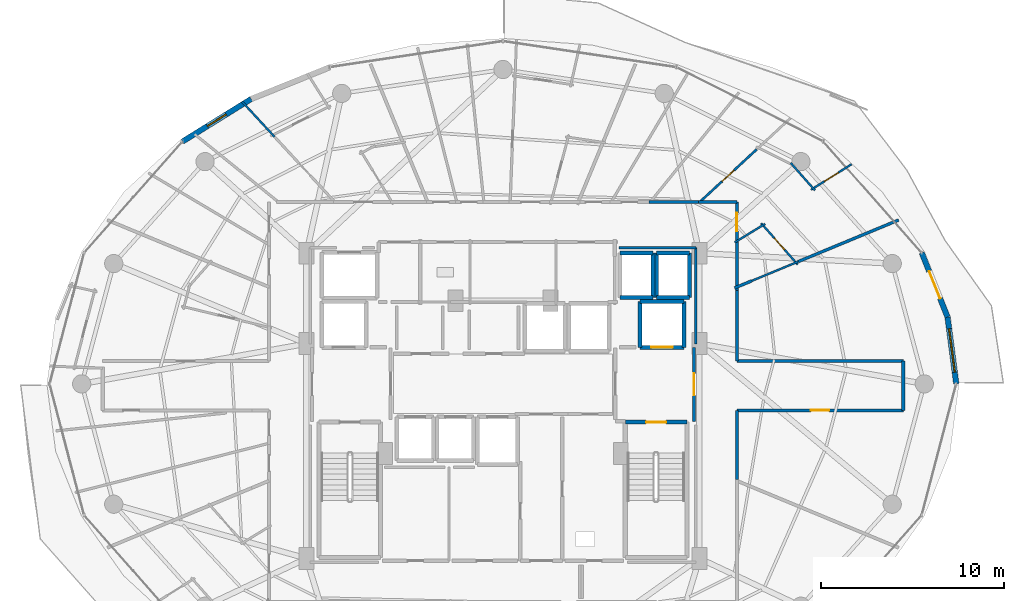
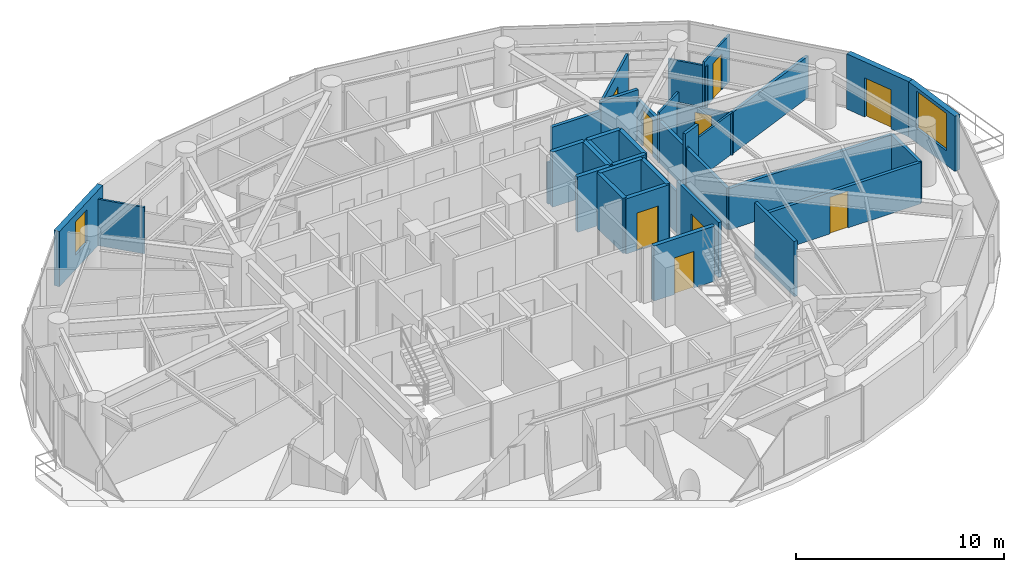
# One storey, part 24 of 28: 36 walls, 9 doors, 2 windows, 11 openings.
"""IFC4 building model written with IfcOpenShell, lengths in metres."""

from ifc_helpers import new_model, si_unit, direction, frame, frame_2d, origin, place, context, subcontext, project, spatial, rectangle, extrude, material, layer, layer_set, type_object, element, fill, save


model = new_model("IFC4")

# Units and contexts
model_context = context("Model", 3, precision=1e-05, world=origin(), true_north=direction((0.0, 1.0)))
body_context = subcontext(model_context, "Body", "Model", "MODEL_VIEW")
ifc_project = project(units=[si_unit("LENGTHUNIT", "METRE"), si_unit("AREAUNIT", "SQUARE_METRE"), si_unit("VOLUMEUNIT", "CUBIC_METRE"), si_unit("PLANEANGLEUNIT", "RADIAN"), si_unit("MASSUNIT", "GRAM", prefix="KILO")], contexts=[model_context])

# Site, building, storey
site_placement = place(None, origin())
site = spatial("IfcSite", under=ifc_project, at=site_placement, CompositionType="ELEMENT")
building_placement = place(site_placement, origin())
building = spatial("IfcBuilding", under=site, at=building_placement, Name="Vorneva Point Tower", CompositionType="ELEMENT")
storey_placement = place(building_placement, frame((0.0, 0.0, 146.60009765625)))
storey = spatial("IfcBuildingStorey", under=building, at=storey_placement, Name="L39", CompositionType="ELEMENT", Elevation=146.60009765625)

# Wall, opening, door
ifc_material_1 = material(Name="Concrete B60 (C50/60)", Category="concrete")
ifc_layer_1 = layer(ifc_material_1, 0.5)
ifc_layer_set_1 = layer_set([ifc_layer_1], Name="Concrete B60 (C50/60)")
wall_type_1 = type_object("IfcWallType", Name="WL-CORE-500", PredefinedType="SHEAR", material=ifc_layer_set_1)
wall_1_placement = place(storey_placement, frame((45.5, 28.0, 0.0), z_axis=(0.0, 0.0, 1.0), x_axis=(1.0, 0.0, 0.0)))
wall_1 = element("IfcWall", 1, at=wall_1_placement, inside=storey, type_object=wall_type_1, Name="L39 Lift FFL2 Shaft Wall -Y", PredefinedType="SHEAR", context=body_context, shape_type="SweptSolid", body=[
    extrude(rectangle(XDim=2.39990234375, YDim=0.219970703125, at=frame_2d((1.199951171875, 0.0))), origin(), (0.0, 0.0, 1.0), 3.239990234375),
])
opening_1_placement = place(wall_1_placement, frame((0.60009765625, 0.0, 0.0)))
opening_1 = element("IfcOpeningElement", 2, at=opening_1_placement, cuts=wall_1, Name="Opening LD-02", PredefinedType="OPENING", context=body_context, shape_type="SweptSolid", body=[
    extrude(rectangle(XDim=1.199951171875, YDim=2.199951171875, at=frame_2d((0.60009765625, 1.10009765625))), frame((0.0, 0.125, 0.0), z_axis=(0.0, -1.0, 0.0), x_axis=(1.0, 0.0, 0.0)), (0.0, 0.0, 1.0), 0.249755859375),
])
ifc_material_2 = material(Name="Brushed stainless steel S304", Category="steel")
door_type_1 = type_object("IfcDoorType", Name="LD-FIRE-1200", OperationType="SLIDING_TO_LEFT", PredefinedType="DOOR", material=ifc_material_2)
door_1_placement = place(opening_1_placement, origin())
door_1 = element("IfcDoor", 3, at=door_1_placement, inside=storey, type_object=door_type_1, Name="L39 Lift FFL2 Sliding Landing Door", OperationType="SLIDING_TO_LEFT", OverallHeight=2.199951171875, OverallWidth=1.199951171875, PredefinedType="DOOR", context=body_context, shape_type="SweptSolid", body=[
    extrude(rectangle(XDim=1.199951171875, YDim=2.199951171875, at=frame_2d((0.60009765625, 1.10009765625))), frame((0.0, 0.02490234375, 0.0), z_axis=(0.0, -1.0, 0.0), x_axis=(1.0, 0.0, 0.0)), (0.0, 0.0, 1.0), 0.050048828125),
])
fill(opening_1, door_1)

# Walls
wall_2_placement = place(storey_placement, frame((47.89990234375, 28.0, 0.0), z_axis=(0.0, 0.0, 1.0), x_axis=(0.0, 1.0, 0.0)))
element("IfcWall", 4, at=wall_2_placement, inside=storey, type_object=wall_type_1, Name="L39 Lift FFL2 Shaft Wall +X", PredefinedType="SHEAR", context=body_context, shape_type="SweptSolid", body=[
    extrude(rectangle(XDim=2.5, YDim=0.219970703125, at=frame_2d((1.25, 0.0))), origin(), (0.0, 0.0, 1.0), 3.239990234375),
])
wall_3_placement = place(storey_placement, frame((47.89990234375, 30.5, 0.0), z_axis=(0.0, 0.0, 1.0), x_axis=(-1.0, 0.0, 0.0)))
element("IfcWall", 5, at=wall_3_placement, inside=storey, type_object=wall_type_1, Name="L39 Lift FFL2 Shaft Wall +Y", PredefinedType="SHEAR", context=body_context, shape_type="SweptSolid", body=[
    extrude(rectangle(XDim=2.39990234375, YDim=0.219970703125, at=frame_2d((1.199951171875, 0.0))), origin(), (0.0, 0.0, 1.0), 3.239990234375),
])
wall_4_placement = place(storey_placement, frame((45.5, 30.5, 0.0), z_axis=(0.0, 0.0, 1.0), x_axis=(0.0, -1.0, 0.0)))
element("IfcWall", 6, at=wall_4_placement, inside=storey, type_object=wall_type_1, Name="L39 Lift FFL2 Shaft Wall -X", PredefinedType="SHEAR", context=body_context, shape_type="SweptSolid", body=[
    extrude(rectangle(XDim=2.5, YDim=0.219970703125, at=frame_2d((1.25, 0.0))), origin(), (0.0, 0.0, 1.0), 3.239990234375),
])

# Wall, opening, window
ifc_material_3 = material(Name="Precast concrete B50 (C40/50)", Category="concrete")
ifc_layer_2 = layer(ifc_material_3, 0.300048828125)
ifc_layer_set_2 = layer_set([ifc_layer_2], Name="Precast concrete B50 (C40/50)")
wall_type_2 = type_object("IfcWallType", Name="WL-EXT-300", PredefinedType="STANDARD", material=ifc_layer_set_2)
wall_5_placement = place(storey_placement, frame((62.800048828125, 26.0, 0.0), z_axis=(0.0, 0.0, 1.0), x_axis=(-0.129189225186, 0.991619959509, 0.0)))
wall_5 = element("IfcWall", 7, at=wall_5_placement, inside=storey, type_object=wall_type_2, Name="L39 Pale-Metal Facade Spandrel Wall 01.1", PredefinedType="STANDARD", context=body_context, shape_type="SweptSolid", body=[
    extrude(rectangle(XDim=3.68896484375, YDim=0.300048828125, at=frame_2d((1.844482421875, 0.0))), origin(), (0.0, 0.0, 1.0), 3.239990234375),
])
opening_2_placement = place(wall_5_placement, frame((0.644287109375, 0.0, 0.85009765625)))
opening_2 = element("IfcOpeningElement", 8, at=opening_2_placement, cuts=wall_5, Name="Opening W-03", PredefinedType="OPENING", context=body_context, shape_type="SweptSolid", body=[
    extrude(rectangle(XDim=2.39990234375, YDim=2.18994140625, at=frame_2d((1.199951171875, 1.094970703125))), frame((0.0, 0.1650390625, 0.0), z_axis=(0.0, -1.0, 0.0), x_axis=(1.0, 0.0, 0.0)), (0.0, 0.0, 1.0), 0.329833984375),
])
ifc_material_4 = material(Name="Double low-e laminated glass IGU", Category="glass")
window_type_1 = type_object("IfcWindowType", Name="WN-RES-2400", PartitioningType="SINGLE_PANEL", PredefinedType="WINDOW", material=ifc_material_4)
window_1_placement = place(opening_2_placement, origin())
window_1 = element("IfcWindow", 9, at=window_1_placement, inside=storey, type_object=window_type_1, Name="L39 Facade Window 01", OverallHeight=2.18994140625, OverallWidth=2.39990234375, PartitioningType="SINGLE_PANEL", PredefinedType="WINDOW", context=body_context, shape_type="SweptSolid", body=[
    extrude(rectangle(XDim=2.39990234375, YDim=2.18994140625, at=frame_2d((1.199951171875, 1.094970703125))), frame((0.0, 0.030029296875, 0.0), z_axis=(0.0, -1.0, 0.0), x_axis=(1.0, 0.0, 0.0)), (0.0, 0.0, 1.0), 0.06005859375),
])
fill(opening_2, window_1)

# Wall, opening, door
wall_6_placement = place(storey_placement, frame((62.323486328125, 29.657958984375, 0.0), z_axis=(0.0, 0.0, 1.0), x_axis=(-0.372401154411, 0.928071861546, 0.0)))
wall_6 = element("IfcWall", 10, at=wall_6_placement, inside=storey, type_object=wall_type_2, Name="L39 Pale-Metal Facade Spandrel Wall 01.2", PredefinedType="STANDARD", context=body_context, shape_type="SweptSolid", body=[
    extrude(rectangle(XDim=3.7900390625, YDim=0.300048828125, at=frame_2d((1.89501953125, 0.0))), origin(), (0.0, 0.0, 1.0), 3.239990234375),
])
opening_3_placement = place(wall_6_placement, frame((1.094970703125, 0.0, 0.0)))
opening_3 = element("IfcOpeningElement", 11, at=opening_3_placement, cuts=wall_6, Name="Opening BD-01", PredefinedType="OPENING", context=body_context, shape_type="SweptSolid", body=[
    extrude(rectangle(XDim=1.60009765625, YDim=2.300048828125, at=frame_2d((0.800048828125, 1.14990234375))), frame((0.0, 0.1650390625, 0.0), z_axis=(0.0, -1.0, 0.0), x_axis=(1.0, 0.0, 0.0)), (0.0, 0.0, 1.0), 0.329833984375),
])
ifc_material_5 = material(Name="Pale anodised aluminium", Category="aluminium")
door_type_2 = type_object("IfcDoorType", Name="DR-BAL-1600", OperationType="SLIDING_TO_LEFT", PredefinedType="DOOR", material=ifc_material_5)
door_2_placement = place(opening_3_placement, origin())
door_2 = element("IfcDoor", 12, at=door_2_placement, inside=storey, type_object=door_type_2, Name="L39 Balcony Terrace Access Door 01", OperationType="SLIDING_TO_LEFT", OverallHeight=2.300048828125, OverallWidth=1.60009765625, PredefinedType="DOOR", context=body_context, shape_type="SweptSolid", body=[
    extrude(rectangle(XDim=1.60009765625, YDim=2.300048828125, at=frame_2d((0.800048828125, 1.14990234375))), frame((0.0, 0.02490234375, 0.0), z_axis=(0.0, -1.0, 0.0), x_axis=(1.0, 0.0, 0.0)), (0.0, 0.0, 1.0), 0.050048828125),
])
fill(opening_3, door_2)

# Wall, opening, window
wall_7_placement = place(storey_placement, frame((24.221923828125, 41.590087890625, 0.0), z_axis=(0.0, 0.0, 1.0), x_axis=(-0.849721181976, -0.527232313977, 0.0)))
wall_7 = element("IfcWall", 13, at=wall_7_placement, inside=storey, type_object=wall_type_2, Name="L39 Pale-Metal Facade Spandrel Wall 06.2", PredefinedType="STANDARD", context=body_context, shape_type="SweptSolid", body=[
    extrude(rectangle(XDim=4.422607421875, YDim=0.300048828125, at=frame_2d((2.21142578125, 0.0))), origin(), (0.0, 0.0, 1.0), 3.239990234375),
])
opening_4_placement = place(wall_7_placement, frame((1.611328125, 0.0, 0.85009765625)))
opening_4 = element("IfcOpeningElement", 14, at=opening_4_placement, cuts=wall_7, Name="Opening W-04", PredefinedType="OPENING", context=body_context, shape_type="SweptSolid", body=[
    extrude(rectangle(XDim=1.199951171875, YDim=1.949951171875, at=frame_2d((0.60009765625, 0.97509765625))), frame((0.0, 0.1650390625, 0.0), z_axis=(0.0, -1.0, 0.0), x_axis=(1.0, 0.0, 0.0)), (0.0, 0.0, 1.0), 0.329833984375),
])
window_type_2 = type_object("IfcWindowType", Name="WN-RES-1200", PartitioningType="SINGLE_PANEL", PredefinedType="WINDOW", material=ifc_material_4)
window_2_placement = place(opening_4_placement, origin())
window_2 = element("IfcWindow", 15, at=window_2_placement, inside=storey, type_object=window_type_2, Name="L39 Dwelling Vision Window 01", OverallHeight=1.949951171875, OverallWidth=1.199951171875, PartitioningType="SINGLE_PANEL", PredefinedType="WINDOW", context=body_context, shape_type="SweptSolid", body=[
    extrude(rectangle(XDim=1.199951171875, YDim=1.949951171875, at=frame_2d((0.60009765625, 0.97509765625))), frame((0.0, 0.030029296875, 0.0), z_axis=(0.0, -1.0, 0.0), x_axis=(1.0, 0.0, 0.0)), (0.0, 0.0, 1.0), 0.06005859375),
])
fill(opening_4, window_2)

# Wall
ifc_material_6 = material(Name="Fire-rated acoustic gypsum stud partition", Category="gypsum")
ifc_layer_3 = layer(ifc_material_6, 0.110107421875)
ifc_layer_set_3 = layer_set([ifc_layer_3], Name="Fire-rated acoustic gypsum stud partition")
wall_type_3 = type_object("IfcWallType", Name="WL-PART-110", PredefinedType="PARTITIONING", material=ifc_layer_set_3)
wall_8_placement = place(storey_placement, frame((50.680419921875, 33.742919921875, 0.0), z_axis=(0.0, 0.0, 1.0), x_axis=(0.853368681548, 0.52130786811, 0.0)))
element("IfcWall", 16, at=wall_8_placement, inside=storey, type_object=wall_type_3, Name="L39 Interior Partition 068", PredefinedType="PARTITIONING", context=body_context, shape_type="SweptSolid", body=[
    extrude(rectangle(XDim=1.9453125, YDim=0.110107421875, at=frame_2d((0.97265625, 0.0))), origin(), (0.0, 0.0, 1.0), 2.971923828125),
])

# Wall, opening, door
wall_9_placement = place(storey_placement, frame((52.12841796875, 34.788818359375, 0.0), z_axis=(0.0, 0.0, 1.0), x_axis=(0.66196248337, -0.74953697081, 0.0)))
wall_9 = element("IfcWall", 17, at=wall_9_placement, inside=storey, type_object=wall_type_3, Name="L39 Interior Partition 069", PredefinedType="PARTITIONING", context=body_context, shape_type="SweptSolid", body=[
    extrude(rectangle(XDim=3.008056640625, YDim=0.110107421875, at=frame_2d((1.50390625, 0.0))), origin(), (0.0, 0.0, 1.0), 2.431884765625),
])
opening_5_placement = place(wall_9_placement, frame((1.0791015625, 0.0, 0.0)))
opening_5 = element("IfcOpeningElement", 18, at=opening_5_placement, cuts=wall_9, Name="Opening ID-02", PredefinedType="OPENING", context=body_context, shape_type="SweptSolid", body=[
    extrude(rectangle(XDim=0.85009765625, YDim=2.10009765625, at=frame_2d((0.425048828125, 1.050048828125))), frame((0.0, 0.06982421875, 0.0), z_axis=(0.0, -1.0, 0.0), x_axis=(1.0, 0.0, 0.0)), (0.0, 0.0, 1.0), 0.139892578125),
])
ifc_material_7 = material(Name="Engineered oak fire-rated door leaf", Category="wood")
door_type_3 = type_object("IfcDoorType", Name="DR-BATH-850", OperationType="NOTDEFINED", PredefinedType="DOOR", material=ifc_material_7)
door_3_placement = place(opening_5_placement, origin())
door_3 = element("IfcDoor", 19, at=door_3_placement, inside=storey, type_object=door_type_3, Name="L39 Door Living and Dining Room L39-01 / Bathroom L39-01", OperationType="SINGLE_SWING_LEFT", OverallHeight=2.10009765625, OverallWidth=0.85009765625, PredefinedType="DOOR", context=body_context, shape_type="SweptSolid", body=[
    extrude(rectangle(XDim=0.85009765625, YDim=2.10009765625, at=frame_2d((0.425048828125, 1.050048828125))), frame((0.0, 0.02490234375, 0.0), z_axis=(0.0, -1.0, 0.0), x_axis=(1.0, 0.0, 0.0)), (0.0, 0.0, 1.0), 0.050048828125),
])
fill(opening_5, door_3)

# Walls
wall_10_placement = place(storey_placement, frame((54.15625, 32.692626953125, 0.0), z_axis=(0.0, 0.0, 1.0), x_axis=(-0.923770555063, -0.382946421316, 0.0)))
element("IfcWall", 20, at=wall_10_placement, inside=storey, type_object=wall_type_3, Name="L39 Interior Partition 070", PredefinedType="PARTITIONING", context=body_context, shape_type="SweptSolid", body=[
    extrude(rectangle(XDim=2.888671875, YDim=0.110107421875, at=frame_2d((1.4443359375, 0.0))), origin(), (0.0, 0.0, 1.0), 2.431884765625),
])
wall_11_placement = place(storey_placement, frame((55.064697265625, 36.591064453125, 0.0), z_axis=(0.0, 0.0, 1.0), x_axis=(-0.66216897397, 0.749354555542, 0.0)))
element("IfcWall", 21, at=wall_11_placement, inside=storey, type_object=wall_type_3, Name="L39 Interior Partition 071", PredefinedType="PARTITIONING", context=body_context, shape_type="SweptSolid", body=[
    extrude(rectangle(XDim=1.990966796875, YDim=0.110107421875, at=frame_2d((0.99560546875, 0.0))), origin(), (0.0, 0.0, 1.0), 2.431884765625),
])

# Wall, opening, door
wall_12_placement = place(storey_placement, frame((57.075439453125, 38.021484375, 0.0), z_axis=(0.0, 0.0, 1.0), x_axis=(-0.846034075758, -0.533128823697, 0.0)))
wall_12 = element("IfcWall", 22, at=wall_12_placement, inside=storey, type_object=wall_type_3, Name="L39 Interior Partition 074", PredefinedType="PARTITIONING", context=body_context, shape_type="SweptSolid", body=[
    extrude(rectangle(XDim=2.626220703125, YDim=0.110107421875, at=frame_2d((1.31298828125, 0.0))), origin(), (0.0, 0.0, 1.0), 2.727783203125),
])
opening_6_placement = place(wall_12_placement, frame((0.863037109375, 0.0, 0.0)))
opening_6 = element("IfcOpeningElement", 23, at=opening_6_placement, cuts=wall_12, Name="Opening ID-01", PredefinedType="OPENING", context=body_context, shape_type="SweptSolid", body=[
    extrude(rectangle(XDim=0.89990234375, YDim=2.10009765625, at=frame_2d((0.449951171875, 1.050048828125))), frame((0.0, 0.06982421875, 0.0), z_axis=(0.0, -1.0, 0.0), x_axis=(1.0, 0.0, 0.0)), (0.0, 0.0, 1.0), 0.139892578125),
])
door_type_4 = type_object("IfcDoorType", Name="DR-ROOM-900", OperationType="NOTDEFINED", PredefinedType="DOOR", material=ifc_material_7)
door_4_placement = place(opening_6_placement, origin())
door_4 = element("IfcDoor", 24, at=door_4_placement, inside=storey, type_object=door_type_4, Name="L39 Door Living and Dining Room L39-01 / Kitchen L39-01", OperationType="SINGLE_SWING_RIGHT", OverallHeight=2.10009765625, OverallWidth=0.89990234375, PredefinedType="DOOR", context=body_context, shape_type="SweptSolid", body=[
    extrude(rectangle(XDim=0.89990234375, YDim=2.10009765625, at=frame_2d((0.449951171875, 1.050048828125))), frame((0.0, 0.02490234375, 0.0), z_axis=(0.0, -1.0, 0.0), x_axis=(1.0, 0.0, 0.0)), (0.0, 0.0, 1.0), 0.050048828125),
])
fill(opening_6, door_4)

# Wall
wall_13_placement = place(storey_placement, frame((25.5048828125, 39.51708984375, 0.0), z_axis=(0.0, 0.0, 1.0), x_axis=(-0.678720806978, 0.734396395808, 0.0)))
element("IfcWall", 25, at=wall_13_placement, inside=storey, type_object=wall_type_3, Name="L39 Interior Partition 096", PredefinedType="PARTITIONING", context=body_context, shape_type="SweptSolid", body=[
    extrude(rectangle(XDim=2.622314453125, YDim=0.110107421875, at=frame_2d((1.31103515625, 0.0))), origin(), (0.0, 0.0, 1.0), 2.727783203125),
])

# Wall, opening, door
ifc_layer_4 = layer(ifc_material_6, 0.125)
ifc_layer_set_4 = layer_set([ifc_layer_4], Name="Fire-rated acoustic gypsum stud partition")
wall_type_4 = type_object("IfcWallType", Name="WL-PART-125", PredefinedType="PARTITIONING", material=ifc_layer_set_4)
wall_14_placement = place(storey_placement, frame((51.873779296875, 38.824462890625, 0.0), z_axis=(0.0, 0.0, 1.0), x_axis=(-0.734347971597, -0.678773199685, 0.0)))
wall_14 = element("IfcWall", 26, at=wall_14_placement, inside=storey, type_object=wall_type_4, Name="L39 Interior Partition 075", PredefinedType="PARTITIONING", context=body_context, shape_type="SweptSolid", body=[
    extrude(rectangle(XDim=4.23486328125, YDim=0.125, at=frame_2d((2.117431640625, 0.0))), origin(), (0.0, 0.0, 1.0), 2.921875),
])
opening_7_placement = place(wall_14_placement, frame((1.66748046875, 0.0, 0.0)))
opening_7 = element("IfcOpeningElement", 27, at=opening_7_placement, cuts=wall_14, Name="Opening ID-01", PredefinedType="OPENING", context=body_context, shape_type="SweptSolid", body=[
    extrude(rectangle(XDim=0.89990234375, YDim=2.10009765625, at=frame_2d((0.449951171875, 1.050048828125))), frame((0.0, 0.077392578125, 0.0), z_axis=(0.0, -1.0, 0.0), x_axis=(1.0, 0.0, 0.0)), (0.0, 0.0, 1.0), 0.15478515625),
])
door_5_placement = place(opening_7_placement, origin())
door_5 = element("IfcDoor", 28, at=door_5_placement, inside=storey, type_object=door_type_4, Name="L39 Door Living and Dining Room L39-01 / Master Bedroom L39-01.1", OperationType="SINGLE_SWING_LEFT", OverallHeight=2.10009765625, OverallWidth=0.89990234375, PredefinedType="DOOR", context=body_context, shape_type="SweptSolid", body=[
    extrude(rectangle(XDim=0.89990234375, YDim=2.10009765625, at=frame_2d((0.449951171875, 1.050048828125))), frame((0.0, 0.02490234375, 0.0), z_axis=(0.0, -1.0, 0.0), x_axis=(1.0, 0.0, 0.0)), (0.0, 0.0, 1.0), 0.050048828125),
])
fill(opening_7, door_5)

# Walls
ifc_layer_5 = layer(ifc_material_6, 0.139892578125)
ifc_layer_set_5 = layer_set([ifc_layer_5], Name="Fire-rated acoustic gypsum stud partition")
wall_type_5 = type_object("IfcWallType", Name="WL-PART-140", PredefinedType="PARTITIONING", material=ifc_layer_set_5)
wall_15_placement = place(storey_placement, frame((48.550048828125, 28.196044921875, 0.0), z_axis=(0.0, 0.0, 1.0), x_axis=(0.0, 1.0, 0.0)))
element("IfcWall", 29, at=wall_15_placement, inside=storey, type_object=wall_type_5, Name="L39 Interior Closure Partition 147", PredefinedType="PARTITIONING", context=body_context, shape_type="SweptSolid", body=[
    extrude(rectangle(XDim=5.25390625, YDim=0.139892578125, at=frame_2d((2.626953125, 0.0))), origin(), (0.0, 0.0, 1.0), 2.431884765625),
])
wall_16_placement = place(storey_placement, frame((48.550048828125, 33.449951171875, 0.0), z_axis=(0.0, 0.0, 1.0), x_axis=(-1.0, 0.0, 0.0)))
element("IfcWall", 30, at=wall_16_placement, inside=storey, type_object=wall_type_5, Name="L39 Interior Closure Partition 148", PredefinedType="PARTITIONING", context=body_context, shape_type="SweptSolid", body=[
    extrude(rectangle(XDim=4.2099609375, YDim=0.139892578125, at=frame_2d((2.10498046875, 0.0))), origin(), (0.0, 0.0, 1.0), 2.431884765625),
])
ifc_layer_6 = layer(ifc_material_6, 0.159912109375)
ifc_layer_set_6 = layer_set([ifc_layer_6], Name="Fire-rated acoustic gypsum stud partition")
wall_type_6 = type_object("IfcWallType", Name="WL-PART-160", PredefinedType="PARTITIONING", material=ifc_layer_set_6)
wall_17_placement = place(storey_placement, frame((54.156494140625, 32.692138671875, 0.0), z_axis=(0.0, 0.0, 1.0), x_axis=(0.923849528339, 0.382755860814, 0.0)))
element("IfcWall", 31, at=wall_17_placement, inside=storey, type_object=wall_type_6, Name="L39 Interior Partition 076", PredefinedType="PARTITIONING", context=body_context, shape_type="SweptSolid", body=[
    extrude(rectangle(XDim=5.94091796875, YDim=0.159912109375, at=frame_2d((2.970458984375, 0.0))), origin(), (0.0, 0.0, 1.0), 2.431884765625),
])
wall_18_placement = place(storey_placement, frame((50.670654296875, 31.24853515625, 0.0), z_axis=(0.0, 0.0, 1.0), x_axis=(0.924089428906, 0.38217630406, 0.0)))
element("IfcWall", 32, at=wall_18_placement, inside=storey, type_object=wall_type_6, Name="L39 Interior Partition 077", PredefinedType="PARTITIONING", context=body_context, shape_type="SweptSolid", body=[
    extrude(rectangle(XDim=1.02392578125, YDim=0.159912109375, at=frame_2d((0.511962890625, 0.0))), origin(), (0.0, 0.0, 1.0), 3.239990234375),
])

# Wall, opening, door
ifc_material_8 = material(Name="Autoclaved aerated concrete blockwork", Category="masonry")
ifc_layer_7 = layer(ifc_material_8, 0.179931640625)
ifc_layer_set_7 = layer_set([ifc_layer_7], Name="Autoclaved aerated concrete blockwork")
wall_type_7 = type_object("IfcWallType", Name="WL-PART-180", PredefinedType="PARTITIONING", material=ifc_layer_set_7)
wall_19_placement = place(storey_placement, frame((48.449951171875, 23.949951171875, 0.0), z_axis=(0.0, 0.0, 1.0), x_axis=(0.0, 1.0, 0.0)))
wall_19 = element("IfcWall", 33, at=wall_19_placement, inside=storey, type_object=wall_type_7, Name="L39 Interior Partition 005", PredefinedType="PARTITIONING", context=body_context, shape_type="SweptSolid", body=[
    extrude(rectangle(XDim=4.050048828125, YDim=0.179931640625, at=frame_2d((2.02490234375, 0.0))), origin(), (0.0, 0.0, 1.0), 3.239990234375),
])
opening_8_placement = place(wall_19_placement, frame((1.425048828125, 0.0, 0.0)))
opening_8 = element("IfcOpeningElement", 34, at=opening_8_placement, cuts=wall_19, Name="Opening FD-02", PredefinedType="OPENING", context=body_context, shape_type="SweptSolid", body=[
    extrude(rectangle(XDim=1.199951171875, YDim=2.14990234375, at=frame_2d((0.60009765625, 1.074951171875))), frame((0.0, 0.10498046875, 0.0), z_axis=(0.0, -1.0, 0.0), x_axis=(1.0, 0.0, 0.0)), (0.0, 0.0, 1.0), 0.209716796875),
])
ifc_material_9 = material(Name="Fire-rated powder-coated steel", Category="steel")
door_type_5 = type_object("IfcDoorType", Name="DR-FFL-1200", OperationType="NOTDEFINED", PredefinedType="DOOR", material=ifc_material_9)
door_6_placement = place(opening_8_placement, origin())
door_6 = element("IfcDoor", 35, at=door_6_placement, inside=storey, type_object=door_type_5, Name="L39 Door East Firefighting Lobby / L39 Circulation Corridor", OperationType="SINGLE_SWING_LEFT", OverallHeight=2.14990234375, OverallWidth=1.199951171875, PredefinedType="DOOR", context=body_context, shape_type="SweptSolid", body=[
    extrude(rectangle(XDim=1.199951171875, YDim=2.14990234375, at=frame_2d((0.60009765625, 1.074951171875))), frame((0.0, 0.02490234375, 0.0), z_axis=(0.0, -1.0, 0.0), x_axis=(1.0, 0.0, 0.0)), (0.0, 0.0, 1.0), 0.050048828125),
])
fill(opening_8, door_6)

wall_20_placement = place(storey_placement, frame((50.800048828125, 33.756103515625, 0.0), z_axis=(0.0, 0.0, 1.0), x_axis=(0.0, 1.0, 0.0)))
wall_20 = element("IfcWall", 36, at=wall_20_placement, inside=storey, type_object=wall_type_7, Name="L39 Interior Partition 029", PredefinedType="PARTITIONING", context=body_context, shape_type="SweptSolid", body=[
    extrude(rectangle(XDim=2.19384765625, YDim=0.179931640625, at=frame_2d((1.096923828125, 0.0))), origin(), (0.0, 0.0, 1.0), 2.431884765625),
])
opening_9_placement = place(wall_20_placement, frame((0.596923828125, 0.0, 0.0)))
opening_9 = element("IfcOpeningElement", 37, at=opening_9_placement, cuts=wall_20, Name="Opening UD-01", PredefinedType="OPENING", context=body_context, shape_type="SweptSolid", body=[
    extrude(rectangle(XDim=1.0, YDim=2.14990234375, at=frame_2d((0.5, 1.074951171875))), frame((0.0, 0.10498046875, 0.0), z_axis=(0.0, -1.0, 0.0), x_axis=(1.0, 0.0, 0.0)), (0.0, 0.0, 1.0), 0.209716796875),
])
door_type_6 = type_object("IfcDoorType", Name="DR-UNIT-1000", OperationType="NOTDEFINED", PredefinedType="DOOR", material=ifc_material_7)
door_7_placement = place(opening_9_placement, origin())
door_7 = element("IfcDoor", 38, at=door_7_placement, inside=storey, type_object=door_type_6, Name="L39 Door L39 Circulation Corridor / Living and Dining Room L39-01", OperationType="SINGLE_SWING_LEFT", OverallHeight=2.14990234375, OverallWidth=1.0, PredefinedType="DOOR", context=body_context, shape_type="SweptSolid", body=[
    extrude(rectangle(XDim=1.0, YDim=2.14990234375, at=frame_2d((0.5, 1.074951171875))), frame((0.0, 0.02490234375, 0.0), z_axis=(0.0, -1.0, 0.0), x_axis=(1.0, 0.0, 0.0)), (0.0, 0.0, 1.0), 0.050048828125),
])
fill(opening_9, door_7)

# Walls
wall_21_placement = place(storey_placement, frame((50.800048828125, 35.949951171875, 0.0), z_axis=(0.0, 0.0, 1.0), x_axis=(-1.0, 0.0, 0.0)))
element("IfcWall", 39, at=wall_21_placement, inside=storey, type_object=wall_type_7, Name="L39 Interior Partition 030", PredefinedType="PARTITIONING", context=body_context, shape_type="SweptSolid", body=[
    extrude(rectangle(XDim=2.095947265625, YDim=0.179931640625, at=frame_2d((1.0478515625, 0.0))), origin(), (0.0, 0.0, 1.0), 2.971923828125),
])
wall_22_placement = place(storey_placement, frame((50.800048828125, 31.10205078125, 0.0), z_axis=(0.0, 0.0, 1.0), x_axis=(0.0, 1.0, 0.0)))
element("IfcWall", 40, at=wall_22_placement, inside=storey, type_object=wall_type_7, Name="L39 Interior Partition 031", PredefinedType="PARTITIONING", context=body_context, shape_type="SweptSolid", body=[
    extrude(rectangle(XDim=2.7939453125, YDim=0.179931640625, at=frame_2d((1.39697265625, 0.0))), origin(), (0.0, 0.0, 1.0), 2.431884765625),
])
wall_23_placement = place(storey_placement, frame((48.7041015625, 35.949951171875, 0.0), z_axis=(0.0, 0.0, 1.0), x_axis=(-1.0, 0.0, 0.0)))
element("IfcWall", 41, at=wall_23_placement, inside=storey, type_object=wall_type_7, Name="L39 Interior Partition 032", PredefinedType="PARTITIONING", context=body_context, shape_type="SweptSolid", body=[
    extrude(rectangle(XDim=2.70703125, YDim=0.179931640625, at=frame_2d((1.353515625, 0.0))), origin(), (0.0, 0.0, 1.0), 2.431884765625),
])
wall_24_placement = place(storey_placement, frame((50.800048828125, 20.758056640625, 0.0), z_axis=(0.0, 0.0, 1.0), x_axis=(0.0, 1.0, 0.0)))
element("IfcWall", 42, at=wall_24_placement, inside=storey, type_object=wall_type_7, Name="L39 Interior Partition 063", PredefinedType="PARTITIONING", context=body_context, shape_type="SweptSolid", body=[
    extrude(rectangle(XDim=3.7919921875, YDim=0.179931640625, at=frame_2d((1.89599609375, 0.0))), origin(), (0.0, 0.0, 1.0), 3.239990234375),
])

# Wall, opening, door
wall_25_placement = place(storey_placement, frame((50.800048828125, 24.550048828125, 0.0), z_axis=(0.0, 0.0, 1.0), x_axis=(1.0, 0.0, 0.0)))
wall_25 = element("IfcWall", 43, at=wall_25_placement, inside=storey, type_object=wall_type_7, Name="L39 Interior Partition 064", PredefinedType="PARTITIONING", context=body_context, shape_type="SweptSolid", body=[
    extrude(rectangle(XDim=9.099853515625, YDim=0.179931640625, at=frame_2d((4.5498046875, 0.0))), origin(), (0.0, 0.0, 1.0), 2.431884765625),
])
opening_10_placement = place(wall_25_placement, frame((4.050048828125, 0.0, 0.0)))
opening_10 = element("IfcOpeningElement", 44, at=opening_10_placement, cuts=wall_25, Name="Opening UD-01", PredefinedType="OPENING", context=body_context, shape_type="SweptSolid", body=[
    extrude(rectangle(XDim=1.0, YDim=2.14990234375, at=frame_2d((0.5, 1.074951171875))), frame((0.0, 0.10498046875, 0.0), z_axis=(0.0, -1.0, 0.0), x_axis=(1.0, 0.0, 0.0)), (0.0, 0.0, 1.0), 0.209716796875),
])
door_8_placement = place(opening_10_placement, origin())
door_8 = element("IfcDoor", 45, at=door_8_placement, inside=storey, type_object=door_type_6, Name="L39 Door L39 Circulation Corridor / Residents Co-Working Office L39-08", OperationType="SINGLE_SWING_RIGHT", OverallHeight=2.14990234375, OverallWidth=1.0, PredefinedType="DOOR", context=body_context, shape_type="SweptSolid", body=[
    extrude(rectangle(XDim=1.0, YDim=2.14990234375, at=frame_2d((0.5, 1.074951171875))), frame((0.0, 0.02490234375, 0.0), z_axis=(0.0, -1.0, 0.0), x_axis=(1.0, 0.0, 0.0)), (0.0, 0.0, 1.0), 0.050048828125),
])
fill(opening_10, door_8)

# Walls
wall_26_placement = place(storey_placement, frame((59.89990234375, 24.550048828125, 0.0), z_axis=(0.0, 0.0, 1.0), x_axis=(0.0, 1.0, 0.0)))
element("IfcWall", 46, at=wall_26_placement, inside=storey, type_object=wall_type_7, Name="L39 Interior Partition 065", PredefinedType="PARTITIONING", context=body_context, shape_type="SweptSolid", body=[
    extrude(rectangle(XDim=2.699951171875, YDim=0.179931640625, at=frame_2d((1.35009765625, 0.0))), origin(), (0.0, 0.0, 1.0), 2.431884765625),
])
wall_27_placement = place(storey_placement, frame((59.89990234375, 27.25, 0.0), z_axis=(0.0, 0.0, 1.0), x_axis=(-1.0, 0.0, 0.0)))
element("IfcWall", 47, at=wall_27_placement, inside=storey, type_object=wall_type_7, Name="L39 Interior Partition 066", PredefinedType="PARTITIONING", context=body_context, shape_type="SweptSolid", body=[
    extrude(rectangle(XDim=9.099853515625, YDim=0.179931640625, at=frame_2d((4.5498046875, 0.0))), origin(), (0.0, 0.0, 1.0), 2.431884765625),
])
wall_28_placement = place(storey_placement, frame((50.800048828125, 27.25, 0.0), z_axis=(0.0, 0.0, 1.0), x_axis=(0.0, 1.0, 0.0)))
element("IfcWall", 48, at=wall_28_placement, inside=storey, type_object=wall_type_7, Name="L39 Interior Partition 067", PredefinedType="PARTITIONING", context=body_context, shape_type="SweptSolid", body=[
    extrude(rectangle(XDim=3.85205078125, YDim=0.179931640625, at=frame_2d((1.926025390625, 0.0))), origin(), (0.0, 0.0, 1.0), 2.431884765625),
])

# Wall, opening, door
ifc_material_10 = material(Name="Concrete B50 (C40/50)", Category="concrete")
ifc_layer_8 = layer(ifc_material_10, 0.219970703125)
ifc_layer_set_8 = layer_set([ifc_layer_8], Name="Concrete B50 (C40/50)")
wall_type_8 = type_object("IfcWallType", Name="WL-SHFT-220", PredefinedType="SOLIDWALL", material=ifc_layer_set_8)
wall_29_placement = place(storey_placement, frame((44.68994140625, 23.909912109375, 0.0), z_axis=(0.0, 0.0, 1.0), x_axis=(1.0, 0.0, 0.0)))
wall_29 = element("IfcWall", 49, at=wall_29_placement, inside=storey, type_object=wall_type_8, Name="L39 Exit Stair ST2 Shaft Wall near", PredefinedType="SOLIDWALL", context=body_context, shape_type="SweptSolid", body=[
    extrude(rectangle(XDim=3.3701171875, YDim=0.219970703125, at=frame_2d((1.68505859375, 0.0))), origin(), (0.0, 0.0, 1.0), 3.239990234375),
])
opening_11_placement = place(wall_29_placement, frame((1.135009765625, 0.0, 0.0)))
opening_11 = element("IfcOpeningElement", 50, at=opening_11_placement, cuts=wall_29, Name="Opening FD-01", PredefinedType="OPENING", context=body_context, shape_type="SweptSolid", body=[
    extrude(rectangle(XDim=1.10009765625, YDim=2.14990234375, at=frame_2d((0.550048828125, 1.074951171875))), frame((0.0, 0.125, 0.0), z_axis=(0.0, -1.0, 0.0), x_axis=(1.0, 0.0, 0.0)), (0.0, 0.0, 1.0), 0.249755859375),
])
door_type_7 = type_object("IfcDoorType", Name="DR-STAIR-1100", OperationType="NOTDEFINED", PredefinedType="DOOR", material=ifc_material_9)
door_9_placement = place(opening_11_placement, origin())
door_9 = element("IfcDoor", 51, at=door_9_placement, inside=storey, type_object=door_type_7, Name="L39 Exit Stair ST2 Fire Door", OperationType="SINGLE_SWING_RIGHT", OverallHeight=2.14990234375, OverallWidth=1.10009765625, PredefinedType="DOOR", context=body_context, shape_type="SweptSolid", body=[
    extrude(rectangle(XDim=1.10009765625, YDim=2.14990234375, at=frame_2d((0.550048828125, 1.074951171875))), frame((0.0, 0.02490234375, 0.0), z_axis=(0.0, -1.0, 0.0), x_axis=(1.0, 0.0, 0.0)), (0.0, 0.0, 1.0), 0.050048828125),
])
fill(opening_11, door_9)

# Walls
wall_30_placement = place(storey_placement, frame((44.39990234375, 30.739990234375, 0.0), z_axis=(0.0, 0.0, 1.0), x_axis=(1.0, 0.0, 0.0)))
element("IfcWall", 52, at=wall_30_placement, inside=storey, type_object=wall_type_8, Name="L39 Lift EX1 Shaft Wall -Y", PredefinedType="SOLIDWALL", context=body_context, shape_type="SweptSolid", body=[
    extrude(rectangle(XDim=1.800048828125, YDim=0.219970703125, at=frame_2d((0.89990234375, 0.0))), origin(), (0.0, 0.0, 1.0), 3.239990234375),
])
wall_31_placement = place(storey_placement, frame((46.199951171875, 30.739990234375, 0.0), z_axis=(0.0, 0.0, 1.0), x_axis=(0.0, 1.0, 0.0)))
element("IfcWall", 53, at=wall_31_placement, inside=storey, type_object=wall_type_8, Name="L39 Lift EX1 Shaft Wall +X", PredefinedType="SOLIDWALL", context=body_context, shape_type="SweptSolid", body=[
    extrude(rectangle(XDim=2.419921875, YDim=0.219970703125, at=frame_2d((1.2099609375, 0.0))), origin(), (0.0, 0.0, 1.0), 3.239990234375),
])
for number, where, z_axis, x_axis, name in (
    (54, (46.199951171875, 33.159912109375, 0.0), (0.0, 0.0, 1.0), (-1.0, 0.0, 0.0), "L39 Lift EX1 Shaft Wall +Y"),
    (55, (46.39990234375, 30.739990234375, 0.0), (0.0, 0.0, 1.0), (1.0, 0.0, 0.0), "L39 Lift EX2 Shaft Wall -Y"),
):
    element("IfcWall", number, at=place(storey_placement, frame(where, z_axis=z_axis, x_axis=x_axis)), inside=storey, type_object=wall_type_8, Name=name, PredefinedType="SOLIDWALL", context=body_context, shape_type="SweptSolid", body=[
        extrude(rectangle(XDim=1.800048828125, YDim=0.219970703125, at=frame_2d((0.89990234375, 0.0))), origin(), (0.0, 0.0, 1.0), 3.239990234375),
    ])
wall_32_placement = place(storey_placement, frame((48.199951171875, 30.739990234375, 0.0), z_axis=(0.0, 0.0, 1.0), x_axis=(0.0, 1.0, 0.0)))
element("IfcWall", 56, at=wall_32_placement, inside=storey, type_object=wall_type_8, Name="L39 Lift EX2 Shaft Wall +X", PredefinedType="SOLIDWALL", context=body_context, shape_type="SweptSolid", body=[
    extrude(rectangle(XDim=2.419921875, YDim=0.219970703125, at=frame_2d((1.2099609375, 0.0))), origin(), (0.0, 0.0, 1.0), 3.239990234375),
])
wall_33_placement = place(storey_placement, frame((48.199951171875, 33.159912109375, 0.0), z_axis=(0.0, 0.0, 1.0), x_axis=(-1.0, 0.0, 0.0)))
element("IfcWall", 57, at=wall_33_placement, inside=storey, type_object=wall_type_8, Name="L39 Lift EX2 Shaft Wall +Y", PredefinedType="SOLIDWALL", context=body_context, shape_type="SweptSolid", body=[
    extrude(rectangle(XDim=1.800048828125, YDim=0.219970703125, at=frame_2d((0.89990234375, 0.0))), origin(), (0.0, 0.0, 1.0), 3.239990234375),
])
wall_34_placement = place(storey_placement, frame((46.39990234375, 33.159912109375, 0.0), z_axis=(0.0, 0.0, 1.0), x_axis=(0.0, -1.0, 0.0)))
element("IfcWall", 58, at=wall_34_placement, inside=storey, type_object=wall_type_8, Name="L39 Lift EX2 Shaft Wall -X", PredefinedType="SOLIDWALL", context=body_context, shape_type="SweptSolid", body=[
    extrude(rectangle(XDim=2.419921875, YDim=0.219970703125, at=frame_2d((1.2099609375, 0.0))), origin(), (0.0, 0.0, 1.0), 3.239990234375),
])

save(model, "model.ifc")
